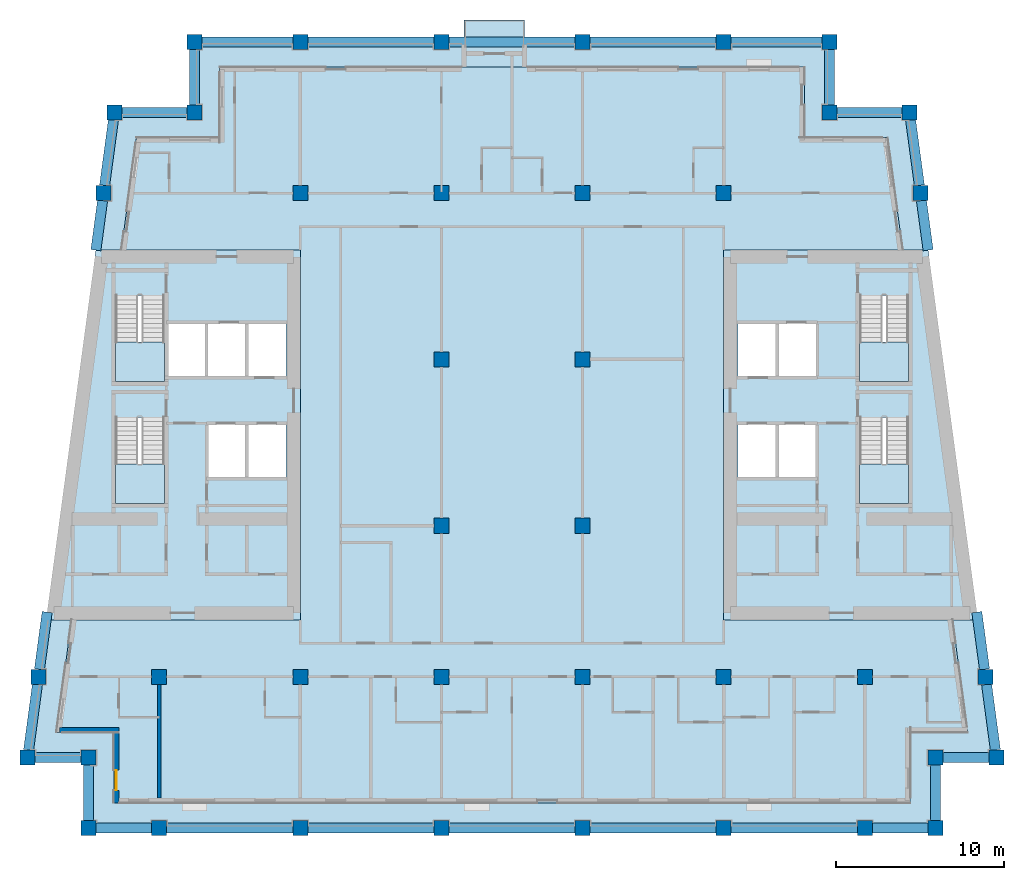
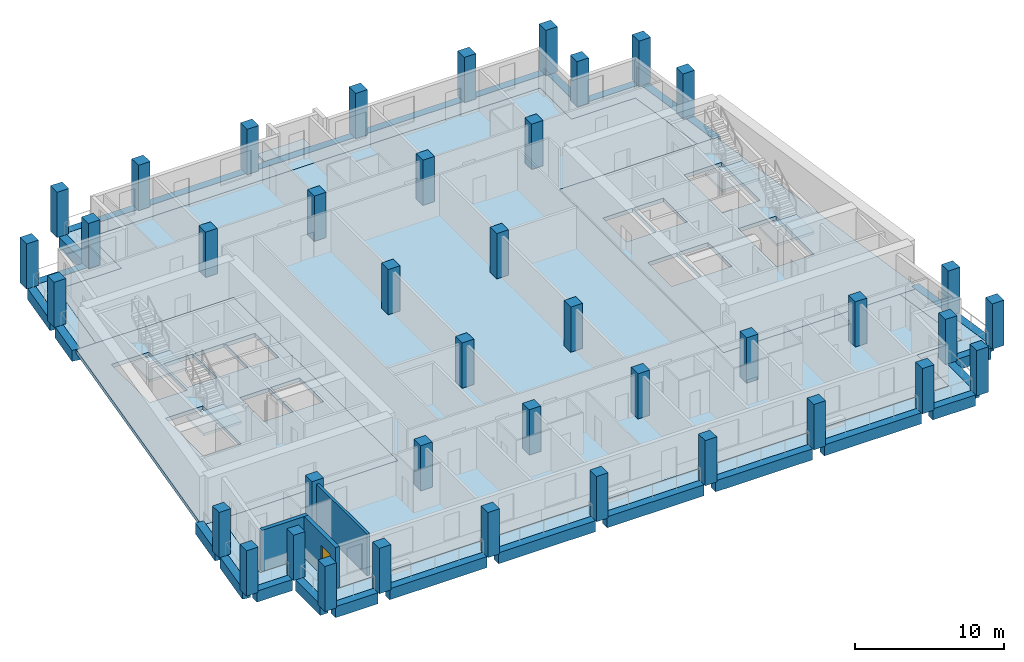
# One storey, part 1 of 12: 40 columns, 28 beams, 10 slabs, 3 walls, 1 door, 1 opening, 4 elements without a shape of their own.
"""IFC4 building model written with IfcOpenShell, lengths in metres."""

from ifc_helpers import new_model, si_unit, direction, frame, frame_2d, origin, origin_2d, place, context, subcontext, project, spatial, polyline, rectangle, outline, extrude, material, layer, layer_set, material_profile, profile_set, type_object, element, fill, aggregate, save


model = new_model("IFC4")

# Units and contexts
model_context = context("Model", 3, precision=1e-05, world=origin(), true_north=direction((0.0, 1.0)))
body_context = subcontext(model_context, "Body", "Model", "MODEL_VIEW")
ifc_project = project(units=[si_unit("LENGTHUNIT", "METRE"), si_unit("AREAUNIT", "SQUARE_METRE"), si_unit("VOLUMEUNIT", "CUBIC_METRE"), si_unit("PLANEANGLEUNIT", "RADIAN"), si_unit("MASSUNIT", "GRAM", prefix="KILO")], contexts=[model_context])

# Site, building, storey
site_placement = place(None, origin())
site = spatial("IfcSite", under=ifc_project, at=site_placement, CompositionType="ELEMENT")
building_placement = place(site_placement, origin())
building = spatial("IfcBuilding", under=site, at=building_placement, Name="Candeia Pilgrim Tower and Theatre", CompositionType="ELEMENT")
storey_placement = place(building_placement, frame((0.0, 0.0, 224.39990234375)))
storey = spatial("IfcBuildingStorey", under=building, at=storey_placement, Name="L54", CompositionType="ELEMENT", Elevation=224.39990234375)

# Columns
ifc_material_1 = material(Name="Concrete C50/60", Category="concrete")
ifc_material_profile_1 = material_profile(ifc_material_1, rectangle(XDim=0.89990234375, YDim=0.89990234375, at=origin_2d()))
ifc_profile_set_1 = profile_set([ifc_material_profile_1], Name="Concrete C50/60")
column_type = type_object("IfcColumnType", Name="RC 900x900 C50/60", PredefinedType="COLUMN", material=ifc_profile_set_1)
for number, where, z_axis, x_axis, name in (
    (1, (92.39990234375, 98.0, 0.0), (0.0, 0.0, 1.0), (1.0, 0.0, 0.0), "Column A1"),
    (2, (100.800048828125, 98.0, 0.0), (0.0, 0.0, 1.0), (1.0, 0.0, 0.0), "Column A2"),
    (3, (109.199951171875, 98.0, 0.0), (0.0, 0.0, 1.0), (1.0, 0.0, 0.0), "Column A3"),
    (4, (117.60009765625, 98.0, 0.0), (0.0, 0.0, 1.0), (1.0, 0.0, 0.0), "Column A4"),
    (5, (126.0, 98.0, 0.0), (0.0, 0.0, 1.0), (1.0, 0.0, 0.0), "Column A5"),
    (6, (134.39990234375, 98.0, 0.0), (0.0, 0.0, 1.0), (1.0, 0.0, 0.0), "Column A6"),
    (7, (88.199951171875, 98.0, 0.0), (0.0, 0.0, 1.0), (1.0, 0.0, 0.0), "Column AW"),
    (8, (138.60009765625, 98.0, 0.0), (0.0, 0.0, 1.0), (1.0, 0.0, 0.0), "Column AE"),
    (9, (88.199951171875, 102.199951171875, 0.0), (0.0, 0.0, 1.0), (1.0, 0.0, 0.0), "Column NSW"),
    (10, (138.60009765625, 102.199951171875, 0.0), (0.0, 0.0, 1.0), (1.0, 0.0, 0.0), "Column NSE"),
    (11, (94.5, 140.60009765625, 0.0), (0.0, 0.0, 1.0), (1.0, 0.0, 0.0), "Column NNW"),
    (12, (132.300048828125, 140.60009765625, 0.0), (0.0, 0.0, 1.0), (1.0, 0.0, 0.0), "Column NNE"),
    (13, (84.5654296875, 102.199951171875, 0.0), (0.0, 0.0, 1.0), (1.0, 0.0, 0.0), "Column LSW"),
    (14, (142.234619140625, 102.199951171875, 0.0), (0.0, 0.0, 1.0), (1.0, 0.0, 0.0), "Column LSE"),
    (15, (89.734619140625, 140.60009765625, 0.0), (0.0, 0.0, 1.0), (1.0, 0.0, 0.0), "Column LNW"),
    (16, (137.0654296875, 140.60009765625, 0.0), (0.0, 0.0, 1.0), (1.0, 0.0, 0.0), "Column LNE"),
    (17, (92.39990234375, 107.0, 0.0), (0.0, 0.0, 1.0), (1.0, 0.0, 0.0), "Column B1"),
    (18, (100.800048828125, 107.0, 0.0), (0.0, 0.0, 1.0), (1.0, 0.0, 0.0), "Column B2"),
    (19, (109.199951171875, 107.0, 0.0), (0.0, 0.0, 1.0), (1.0, 0.0, 0.0), "Column B3"),
    (20, (117.60009765625, 107.0, 0.0), (0.0, 0.0, 1.0), (1.0, 0.0, 0.0), "Column B4"),
    (21, (126.0, 107.0, 0.0), (0.0, 0.0, 1.0), (1.0, 0.0, 0.0), "Column B5"),
    (22, (134.39990234375, 107.0, 0.0), (0.0, 0.0, 1.0), (1.0, 0.0, 0.0), "Column B6"),
    (23, (85.21142578125, 107.0, 0.0), (0.0, 0.0, 1.0), (1.0, 0.0, 0.0), "Column BW"),
    (24, (141.58837890625, 107.0, 0.0), (0.0, 0.0, 1.0), (1.0, 0.0, 0.0), "Column BE"),
    (25, (109.199951171875, 116.0, 0.0), (0.0, 0.0, 1.0), (1.0, 0.0, 0.0), "Column C3"),
    (26, (117.60009765625, 116.0, 0.0), (0.0, 0.0, 1.0), (1.0, 0.0, 0.0), "Column C4"),
    (27, (109.199951171875, 125.89990234375, 0.0), (0.0, 0.0, 1.0), (1.0, 0.0, 0.0), "Column D3"),
    (28, (117.60009765625, 125.89990234375, 0.0), (0.0, 0.0, 1.0), (1.0, 0.0, 0.0), "Column D4"),
    (29, (100.800048828125, 135.800048828125, 0.0), (0.0, 0.0, 1.0), (1.0, 0.0, 0.0), "Column E2"),
    (30, (109.199951171875, 135.800048828125, 0.0), (0.0, 0.0, 1.0), (1.0, 0.0, 0.0), "Column E3"),
    (31, (117.60009765625, 135.800048828125, 0.0), (0.0, 0.0, 1.0), (1.0, 0.0, 0.0), "Column E4"),
    (32, (126.0, 135.800048828125, 0.0), (0.0, 0.0, 1.0), (1.0, 0.0, 0.0), "Column E5"),
    (33, (89.08837890625, 135.800048828125, 0.0), (0.0, 0.0, 1.0), (1.0, 0.0, 0.0), "Column EW"),
    (34, (137.71142578125, 135.800048828125, 0.0), (0.0, 0.0, 1.0), (1.0, 0.0, 0.0), "Column EE"),
    (35, (100.800048828125, 144.800048828125, 0.0), (0.0, 0.0, 1.0), (1.0, 0.0, 0.0), "Column F2"),
    (36, (109.199951171875, 144.800048828125, 0.0), (0.0, 0.0, 1.0), (1.0, 0.0, 0.0), "Column F3"),
    (37, (117.60009765625, 144.800048828125, 0.0), (0.0, 0.0, 1.0), (1.0, 0.0, 0.0), "Column F4"),
    (38, (126.0, 144.800048828125, 0.0), (0.0, 0.0, 1.0), (1.0, 0.0, 0.0), "Column F5"),
    (39, (94.5, 144.800048828125, 0.0), (0.0, 0.0, 1.0), (1.0, 0.0, 0.0), "Column FW"),
    (40, (132.300048828125, 144.800048828125, 0.0), (0.0, 0.0, 1.0), (1.0, 0.0, 0.0), "Column FE"),
):
    element("IfcColumn", number, at=place(storey_placement, frame(where, z_axis=z_axis, x_axis=x_axis)), inside=storey, type_object=column_type, Name=name, PredefinedType="COLUMN", context=body_context, shape_type="SweptSolid", body=[
        extrude(rectangle(XDim=0.89990234375, YDim=0.89990234375, at=origin_2d()), origin(), (0.0, 0.0, 1.0), 3.7001953125),
    ])

# Beams
ifc_material_profile_2 = material_profile(ifc_material_1, rectangle(XDim=0.60009765625, YDim=0.89990234375, at=origin_2d()))
ifc_profile_set_2 = profile_set([ifc_material_profile_2], Name="Concrete C50/60")
beam_type = type_object("IfcBeamType", Name="RC 600x900 C50/60", PredefinedType="BEAM", material=ifc_profile_set_2)
beam_1_placement = place(storey_placement, frame((88.64990234375, 98.0, -0.449951171875), z_axis=(1.0, 0.0, 0.0), x_axis=(0.0, 1.0, 0.0)))
element("IfcBeam", 41, at=beam_1_placement, inside=storey, type_object=beam_type, Name="Spandrel beam L54-01", PredefinedType="BEAM", context=body_context, shape_type="SweptSolid", body=[
    extrude(rectangle(XDim=0.60009765625, YDim=0.89990234375, at=origin_2d()), origin(), (0.0, 0.0, 1.0), 3.300048828125),
])
for number, where, z_axis, x_axis, name in (
    (42, (92.85009765625, 98.0, -0.449951171875), (1.0, 0.0, 0.0), (0.0, 1.0, 0.0), "Spandrel beam L54-02"),
    (43, (101.25, 98.0, -0.449951171875), (1.0, 0.0, 0.0), (0.0, 1.0, 0.0), "Spandrel beam L54-03"),
    (44, (109.64990234375, 98.0, -0.449951171875), (1.0, 0.0, 0.0), (0.0, 1.0, 0.0), "Spandrel beam L54-04"),
    (45, (118.050048828125, 98.0, -0.449951171875), (1.0, 0.0, 0.0), (0.0, 1.0, 0.0), "Spandrel beam L54-05"),
    (46, (126.449951171875, 98.0, -0.449951171875), (1.0, 0.0, 0.0), (0.0, 1.0, 0.0), "Spandrel beam L54-06"),
):
    element("IfcBeam", number, at=place(storey_placement, frame(where, z_axis=z_axis, x_axis=x_axis)), inside=storey, type_object=beam_type, Name=name, PredefinedType="BEAM", context=body_context, shape_type="SweptSolid", body=[
        extrude(rectangle(XDim=0.60009765625, YDim=0.89990234375, at=origin_2d()), origin(), (0.0, 0.0, 1.0), 7.5),
    ])
beam_2_placement = place(storey_placement, frame((134.85009765625, 98.0, -0.449951171875), z_axis=(1.0, 0.0, 0.0), x_axis=(0.0, 1.0, 0.0)))
element("IfcBeam", 47, at=beam_2_placement, inside=storey, type_object=beam_type, Name="Spandrel beam L54-07", PredefinedType="BEAM", context=body_context, shape_type="SweptSolid", body=[
    extrude(rectangle(XDim=0.60009765625, YDim=0.89990234375, at=origin_2d()), origin(), (0.0, 0.0, 1.0), 3.2998046875),
])
beam_3_placement = place(storey_placement, frame((138.60009765625, 98.449951171875, -0.449951171875), z_axis=(0.0, 1.0, 0.0), x_axis=(-1.0, 0.0, 0.0)))
element("IfcBeam", 48, at=beam_3_placement, inside=storey, type_object=beam_type, Name="Spandrel beam L54-08", PredefinedType="BEAM", context=body_context, shape_type="SweptSolid", body=[
    extrude(rectangle(XDim=0.60009765625, YDim=0.89990234375, at=origin_2d()), origin(), (0.0, 0.0, 1.0), 3.300048828125),
])
beam_4_placement = place(storey_placement, frame((139.050048828125, 102.199951171875, -0.449951171875), z_axis=(1.0, 0.0, 0.0), x_axis=(0.0, 1.0, 0.0)))
element("IfcBeam", 49, at=beam_4_placement, inside=storey, type_object=beam_type, Name="Spandrel beam L54-09", PredefinedType="BEAM", context=body_context, shape_type="SweptSolid", body=[
    extrude(rectangle(XDim=0.60009765625, YDim=0.89990234375, at=origin_2d()), origin(), (0.0, 0.0, 1.0), 2.734619140625),
])
beam_5_placement = place(storey_placement, frame((142.174072265625, 102.64990234375, -0.449951171875), z_axis=(-0.133443650757, 0.991056402064, 0.0), x_axis=(-0.991056402064, -0.133443650757, 0.0)))
element("IfcBeam", 50, at=beam_5_placement, inside=storey, type_object=beam_type, Name="Spandrel beam L54-10", PredefinedType="BEAM", context=body_context, shape_type="SweptSolid", body=[
    extrude(rectangle(XDim=0.60009765625, YDim=0.89990234375, at=origin_2d()), origin(), (0.0, 0.0, 1.0), 3.935302734375),
])
beam_6_placement = place(storey_placement, frame((141.52783203125, 107.449951171875, -0.449951171875), z_axis=(-0.133374411439, 0.99106572253, 0.0), x_axis=(-0.99106572253, -0.133374411439, 0.0)))
element("IfcBeam", 51, at=beam_6_placement, inside=storey, type_object=beam_type, Name="Spandrel beam L54-11", PredefinedType="BEAM", context=body_context, shape_type="SweptSolid", body=[
    extrude(rectangle(XDim=0.60009765625, YDim=0.89990234375, at=origin_2d()), origin(), (0.0, 0.0, 1.0), 3.43408203125),
])
beam_7_placement = place(storey_placement, frame((138.169189453125, 132.39990234375, -0.449951171875), z_axis=(-0.133356242983, 0.991068167412, 0.0), x_axis=(-0.991068167412, -0.133356242983, 0.0)))
element("IfcBeam", 52, at=beam_7_placement, inside=storey, type_object=beam_type, Name="Spandrel beam L54-12", PredefinedType="BEAM", context=body_context, shape_type="SweptSolid", body=[
    extrude(rectangle(XDim=0.60009765625, YDim=0.89990234375, at=origin_2d()), origin(), (0.0, 0.0, 1.0), 2.976806640625),
])
beam_8_placement = place(storey_placement, frame((137.65087890625, 136.25, -0.449951171875), z_axis=(-0.133390918184, 0.991063500965, 0.0), x_axis=(-0.991063500965, -0.133390918184, 0.0)))
element("IfcBeam", 53, at=beam_8_placement, inside=storey, type_object=beam_type, Name="Spandrel beam L54-13", PredefinedType="BEAM", context=body_context, shape_type="SweptSolid", body=[
    extrude(rectangle(XDim=0.60009765625, YDim=0.89990234375, at=origin_2d()), origin(), (0.0, 0.0, 1.0), 3.93505859375),
])
beam_9_placement = place(storey_placement, frame((136.615478515625, 140.60009765625, -0.449951171875), z_axis=(-1.0, 0.0, 0.0), x_axis=(0.0, -1.0, 0.0)))
element("IfcBeam", 54, at=beam_9_placement, inside=storey, type_object=beam_type, Name="Spandrel beam L54-14", PredefinedType="BEAM", context=body_context, shape_type="SweptSolid", body=[
    extrude(rectangle(XDim=0.60009765625, YDim=0.89990234375, at=origin_2d()), origin(), (0.0, 0.0, 1.0), 3.865478515625),
])
beam_10_placement = place(storey_placement, frame((132.300048828125, 141.050048828125, -0.449951171875), z_axis=(0.0, 1.0, 0.0), x_axis=(-1.0, 0.0, 0.0)))
element("IfcBeam", 55, at=beam_10_placement, inside=storey, type_object=beam_type, Name="Spandrel beam L54-15", PredefinedType="BEAM", context=body_context, shape_type="SweptSolid", body=[
    extrude(rectangle(XDim=0.60009765625, YDim=0.89990234375, at=origin_2d()), origin(), (0.0, 0.0, 1.0), 3.300048828125),
])
beam_11_placement = place(storey_placement, frame((131.85009765625, 144.800048828125, -0.449951171875), z_axis=(-1.0, 0.0, 0.0), x_axis=(0.0, -1.0, 0.0)))
element("IfcBeam", 56, at=beam_11_placement, inside=storey, type_object=beam_type, Name="Spandrel beam L54-16", PredefinedType="BEAM", context=body_context, shape_type="SweptSolid", body=[
    extrude(rectangle(XDim=0.60009765625, YDim=0.89990234375, at=origin_2d()), origin(), (0.0, 0.0, 1.0), 5.400146484375),
])
for number, where, z_axis, x_axis, name in (
    (57, (125.550048828125, 144.800048828125, -0.449951171875), (-1.0, 0.0, 0.0), (0.0, -1.0, 0.0), "Spandrel beam L54-17"),
    (58, (117.14990234375, 144.800048828125, -0.449951171875), (-1.0, 0.0, 0.0), (0.0, -1.0, 0.0), "Spandrel beam L54-18"),
    (59, (108.75, 144.800048828125, -0.449951171875), (-1.0, 0.0, 0.0), (0.0, -1.0, 0.0), "Spandrel beam L54-19"),
):
    element("IfcBeam", number, at=place(storey_placement, frame(where, z_axis=z_axis, x_axis=x_axis)), inside=storey, type_object=beam_type, Name=name, PredefinedType="BEAM", context=body_context, shape_type="SweptSolid", body=[
        extrude(rectangle(XDim=0.60009765625, YDim=0.89990234375, at=origin_2d()), origin(), (0.0, 0.0, 1.0), 7.5),
    ])
beam_12_placement = place(storey_placement, frame((100.35009765625, 144.800048828125, -0.449951171875), z_axis=(-1.0, 0.0, 0.0), x_axis=(0.0, -1.0, 0.0)))
element("IfcBeam", 60, at=beam_12_placement, inside=storey, type_object=beam_type, Name="Spandrel beam L54-20", PredefinedType="BEAM", context=body_context, shape_type="SweptSolid", body=[
    extrude(rectangle(XDim=0.60009765625, YDim=0.89990234375, at=origin_2d()), origin(), (0.0, 0.0, 1.0), 5.400146484375),
])
beam_13_placement = place(storey_placement, frame((94.5, 144.35009765625, -0.449951171875), z_axis=(0.0, -1.0, 0.0), x_axis=(1.0, 0.0, 0.0)))
element("IfcBeam", 61, at=beam_13_placement, inside=storey, type_object=beam_type, Name="Spandrel beam L54-21", PredefinedType="BEAM", context=body_context, shape_type="SweptSolid", body=[
    extrude(rectangle(XDim=0.60009765625, YDim=0.89990234375, at=origin_2d()), origin(), (0.0, 0.0, 1.0), 3.300048828125),
])
beam_14_placement = place(storey_placement, frame((94.050048828125, 140.60009765625, -0.449951171875), z_axis=(-1.0, 0.0, 0.0), x_axis=(0.0, -1.0, 0.0)))
element("IfcBeam", 62, at=beam_14_placement, inside=storey, type_object=beam_type, Name="Spandrel beam L54-22", PredefinedType="BEAM", context=body_context, shape_type="SweptSolid", body=[
    extrude(rectangle(XDim=0.60009765625, YDim=0.89990234375, at=origin_2d()), origin(), (0.0, 0.0, 1.0), 3.865478515625),
])
beam_15_placement = place(storey_placement, frame((89.674072265625, 140.14990234375, -0.449951171875), z_axis=(-0.133451855788, -0.99105529724, 0.0), x_axis=(0.99105529724, -0.133451855788, 0.0)))
element("IfcBeam", 63, at=beam_15_placement, inside=storey, type_object=beam_type, Name="Spandrel beam L54-23", PredefinedType="BEAM", context=body_context, shape_type="SweptSolid", body=[
    extrude(rectangle(XDim=0.60009765625, YDim=0.89990234375, at=origin_2d()), origin(), (0.0, 0.0, 1.0), 3.93505859375),
])
beam_16_placement = place(storey_placement, frame((89.02783203125, 135.35009765625, -0.449951171875), z_axis=(-0.133356242983, -0.991068167412, 0.0), x_axis=(0.991068167412, -0.133356242983, 0.0)))
element("IfcBeam", 64, at=beam_16_placement, inside=storey, type_object=beam_type, Name="Spandrel beam L54-24", PredefinedType="BEAM", context=body_context, shape_type="SweptSolid", body=[
    extrude(rectangle(XDim=0.60009765625, YDim=0.89990234375, at=origin_2d()), origin(), (0.0, 0.0, 1.0), 2.976806640625),
])
beam_17_placement = place(storey_placement, frame((85.730224609375, 110.853271484375, -0.449951171875), z_axis=(-0.133374411439, -0.99106572253, 0.0), x_axis=(0.99106572253, -0.133374411439, 0.0)))
element("IfcBeam", 65, at=beam_17_placement, inside=storey, type_object=beam_type, Name="Spandrel beam L54-25", PredefinedType="BEAM", context=body_context, shape_type="SweptSolid", body=[
    extrude(rectangle(XDim=0.60009765625, YDim=0.89990234375, at=origin_2d()), origin(), (0.0, 0.0, 1.0), 3.43408203125),
])
beam_18_placement = place(storey_placement, frame((85.15087890625, 106.550048828125, -0.449951171875), z_axis=(-0.133382716764, -0.991064604791, 0.0), x_axis=(0.991064604791, -0.133382716764, 0.0)))
element("IfcBeam", 66, at=beam_18_placement, inside=storey, type_object=beam_type, Name="Spandrel beam L54-26", PredefinedType="BEAM", context=body_context, shape_type="SweptSolid", body=[
    extrude(rectangle(XDim=0.60009765625, YDim=0.89990234375, at=origin_2d()), origin(), (0.0, 0.0, 1.0), 3.935302734375),
])
beam_19_placement = place(storey_placement, frame((85.015380859375, 102.199951171875, -0.449951171875), z_axis=(1.0, 0.0, 0.0), x_axis=(0.0, 1.0, 0.0)))
element("IfcBeam", 67, at=beam_19_placement, inside=storey, type_object=beam_type, Name="Spandrel beam L54-27", PredefinedType="BEAM", context=body_context, shape_type="SweptSolid", body=[
    extrude(rectangle(XDim=0.60009765625, YDim=0.89990234375, at=origin_2d()), origin(), (0.0, 0.0, 1.0), 2.734619140625),
])
beam_20_placement = place(storey_placement, frame((88.199951171875, 101.75, -0.449951171875), z_axis=(0.0, -1.0, 0.0), x_axis=(1.0, 0.0, 0.0)))
element("IfcBeam", 68, at=beam_20_placement, inside=storey, type_object=beam_type, Name="Spandrel beam L54-28", PredefinedType="BEAM", context=body_context, shape_type="SweptSolid", body=[
    extrude(rectangle(XDim=0.60009765625, YDim=0.89990234375, at=origin_2d()), origin(), (0.0, 0.0, 1.0), 3.300048828125),
])

# Slabs
ifc_material_2 = material(Name="Concrete C40/50", Category="concrete")
ifc_layer_1 = layer(ifc_material_2, 0.25)
ifc_layer_set_1 = layer_set([ifc_layer_1], Name="BK1 balcony slab 250")
slab_type_1 = type_object("IfcSlabType", Name="BK1 balcony slab 250", PredefinedType="USERDEFINED", material=ifc_layer_set_1)
slab_1_placement = place(storey_placement, frame((0.0, 0.0, -0.25)))
element("IfcSlab", 69, at=slab_1_placement, inside=storey, type_object=slab_type_1, Name="Balcony L54", ObjectType="BALCONY", PredefinedType="USERDEFINED", context=body_context, shape_type="SweptSolid", body=[
    extrude(outline(polyline([(110.550048828125, 144.5), (114.14990234375, 144.5), (114.14990234375, 146.10009765625), (110.550048828125, 146.10009765625), (110.550048828125, 144.5)])), origin(), (0.0, 0.0, 1.0), 0.25),
])
ifc_material_3 = material(Name="Concrete C60/75", Category="concrete")
ifc_layer_2 = layer(ifc_material_3, 0.320068359375)
ifc_layer_set_2 = layer_set([ifc_layer_2], Name="FS-CORE 320 core floor")
slab_type_2 = type_object("IfcSlabType", Name="FS-CORE 320 core floor", PredefinedType="FLOOR", material=ifc_layer_set_2)
slab_2_placement = place(storey_placement, frame((0.0, 0.0, -0.31982421875)))
element("IfcSlab", 70, at=slab_2_placement, inside=storey, type_object=slab_type_2, Name="Core floor W L54", PredefinedType="FLOOR", context=body_context, shape_type="SweptSolid", body=[
    extrude(outline(polyline([(100.800048828125, 132.39990234375), (100.800048828125, 110.39990234375), (85.669189453125, 110.39990234375), (88.630859375, 132.39990234375), (100.800048828125, 132.39990234375)]), holes=[polyline([(97.658935546875, 128.050048828125), (97.658935546875, 124.85009765625), (99.949951171875, 124.85009765625), (99.949951171875, 128.050048828125), (97.658935546875, 128.050048828125)]), polyline([(97.66357421875, 122.050048828125), (97.66357421875, 118.85009765625), (99.949951171875, 118.85009765625), (99.949951171875, 122.050048828125), (97.66357421875, 122.050048828125)]), polyline([(95.277099609375, 122.050048828125), (95.277099609375, 118.85009765625), (97.5634765625, 118.85009765625), (97.5634765625, 122.050048828125), (95.277099609375, 122.050048828125)]), polyline([(95.26806640625, 128.050048828125), (95.26806640625, 124.85009765625), (97.55908203125, 124.85009765625), (97.55908203125, 128.050048828125), (95.26806640625, 128.050048828125)]), polyline([(92.876953125, 128.050048828125), (92.876953125, 124.85009765625), (95.16796875, 124.85009765625), (95.16796875, 128.050048828125), (92.876953125, 128.050048828125)]), polyline([(89.802001953125, 117.324951171875), (92.701904296875, 117.324951171875), (92.701904296875, 122.455078125), (89.802001953125, 122.455078125), (89.802001953125, 117.324951171875)]), polyline([(89.802001953125, 129.705078125), (89.802001953125, 124.574951171875), (92.701904296875, 124.574951171875), (92.701904296875, 129.705078125), (89.802001953125, 129.705078125)])]), origin(), (0.0, 0.0, 1.0), 0.31982421875),
])
slab_3_placement = place(storey_placement, frame((0.0, 0.0, -0.31982421875)))
element("IfcSlab", 71, at=slab_3_placement, inside=storey, type_object=slab_type_2, Name="Core floor E L54", PredefinedType="FLOOR", context=body_context, shape_type="SweptSolid", body=[
    extrude(outline(polyline([(138.169189453125, 132.39990234375), (141.130859375, 110.39990234375), (126.0, 110.39990234375), (126.0, 132.39990234375), (138.169189453125, 132.39990234375)]), holes=[polyline([(134.097900390625, 117.324951171875), (136.998046875, 117.324951171875), (136.998046875, 122.455078125), (134.097900390625, 122.455078125), (134.097900390625, 117.324951171875)]), polyline([(134.097900390625, 129.705078125), (134.097900390625, 124.574951171875), (136.998046875, 124.574951171875), (136.998046875, 129.705078125), (134.097900390625, 129.705078125)]), polyline([(131.531982421875, 128.050048828125), (129.240966796875, 128.050048828125), (129.240966796875, 124.85009765625), (131.531982421875, 124.85009765625), (131.531982421875, 128.050048828125)]), polyline([(131.52294921875, 122.050048828125), (129.236572265625, 122.050048828125), (129.236572265625, 118.85009765625), (131.52294921875, 118.85009765625), (131.52294921875, 122.050048828125)]), polyline([(126.85009765625, 128.050048828125), (126.85009765625, 124.85009765625), (129.14111328125, 124.85009765625), (129.14111328125, 128.050048828125), (126.85009765625, 128.050048828125)]), polyline([(129.136474609375, 122.050048828125), (126.85009765625, 122.050048828125), (126.85009765625, 118.85009765625), (129.136474609375, 118.85009765625), (129.136474609375, 122.050048828125)])]), origin(), (0.0, 0.0, 1.0), 0.31982421875),
])
ifc_layer_3 = layer(ifc_material_1, 0.320068359375)
ifc_layer_set_3 = layer_set([ifc_layer_3], Name="Floor slab 320 C50/60")
slab_type_3 = type_object("IfcSlabType", Name="Floor slab 320 C50/60", PredefinedType="FLOOR", material=ifc_layer_set_3)
slab_4_placement = place(storey_placement, frame((0.0, 0.0, -0.31982421875)))
element("IfcSlab", 72, at=slab_4_placement, inside=storey, type_object=slab_type_3, Name="Floor slab L54", PredefinedType="FLOOR", context=body_context, shape_type="SweptSolid", body=[
    extrude(outline(polyline([(96.0, 139.10009765625), (96.0, 143.300048828125), (130.800048828125, 143.300048828125), (130.800048828125, 139.10009765625), (135.753662109375, 139.10009765625), (136.65576171875, 132.39990234375), (126.0, 132.39990234375), (126.0, 110.39990234375), (139.6171875, 110.39990234375), (140.51904296875, 103.699951171875), (137.10009765625, 103.699951171875), (137.10009765625, 99.5), (89.699951171875, 99.5), (89.699951171875, 103.699951171875), (86.28076171875, 103.699951171875), (87.182861328125, 110.39990234375), (100.800048828125, 110.39990234375), (100.800048828125, 132.39990234375), (90.144287109375, 132.39990234375), (91.046142578125, 139.10009765625), (96.0, 139.10009765625)])), origin(), (0.0, 0.0, 1.0), 0.31982421875),
])
ifc_layer_4 = layer(ifc_material_2, 0.25)
ifc_layer_set_4 = layer_set([ifc_layer_4], Name="Loggia slab 250 C40/50")
slab_type_4 = type_object("IfcSlabType", Name="Loggia slab 250 C40/50", PredefinedType="FLOOR", material=ifc_layer_set_4)
slab_5_placement = place(storey_placement, frame((0.0, 0.0, -0.25)))
element("IfcSlab", 73, at=slab_5_placement, inside=storey, type_object=slab_type_4, Name="Loggia slab L54 1", PredefinedType="FLOOR", context=body_context, shape_type="SweptSolid", body=[
    extrude(outline(polyline([(87.182861328125, 110.39990234375), (86.28076171875, 103.699951171875), (89.699951171875, 103.699951171875), (89.699951171875, 99.5), (137.10009765625, 99.5), (137.10009765625, 103.699951171875), (140.51904296875, 103.699951171875), (139.6171875, 110.39990234375), (140.828125, 110.39990234375), (141.8916015625, 102.5), (138.300048828125, 102.5), (138.300048828125, 98.300048828125), (88.5, 98.300048828125), (88.5, 102.5), (84.908447265625, 102.5), (85.971923828125, 110.39990234375), (87.182861328125, 110.39990234375)])), origin(), (0.0, 0.0, 1.0), 0.25),
])
slab_6_placement = place(storey_placement, frame((0.0, 0.0, -0.25)))
element("IfcSlab", 74, at=slab_6_placement, inside=storey, type_object=slab_type_4, Name="Loggia slab L54 2", PredefinedType="FLOOR", context=body_context, shape_type="SweptSolid", body=[
    extrude(outline(polyline([(136.65576171875, 132.39990234375), (135.753662109375, 139.10009765625), (130.800048828125, 139.10009765625), (130.800048828125, 143.300048828125), (96.0, 143.300048828125), (96.0, 139.10009765625), (91.046142578125, 139.10009765625), (90.144287109375, 132.39990234375), (88.93359375, 132.39990234375), (89.996826171875, 140.300048828125), (94.800048828125, 140.300048828125), (94.800048828125, 144.5), (132.0, 144.5), (132.0, 140.300048828125), (136.802978515625, 140.300048828125), (137.866455078125, 132.39990234375), (136.65576171875, 132.39990234375)])), origin(), (0.0, 0.0, 1.0), 0.25),
])

# Stair, slab
stair_type = type_object("IfcStairType", Name="ST-TWR dog-leg escape stair", PredefinedType="HALF_TURN_STAIR", material=ifc_material_2)
stair_1_placement = place(storey_placement, origin())
stair_1 = element("IfcStair", 75, at=stair_1_placement, inside=storey, type_object=stair_type, Name="L54 Escape stair ST1", PredefinedType="HALF_TURN_STAIR")
ifc_layer_5 = layer(ifc_material_2, 0.199951171875)
ifc_layer_set_5 = layer_set([ifc_layer_5], Name="SL-LANDING stair landing")
slab_type_5 = type_object("IfcSlabType", Name="SL-LANDING stair landing", PredefinedType="LANDING", material=ifc_layer_set_5)
slab_7_placement = place(storey_placement, frame((0.0, 0.0, 1.650146484375)))
slab_7 = element("IfcSlab", 76, at=slab_7_placement, type_object=slab_type_5, Name="ST1 landing 1", PredefinedType="LANDING", context=body_context, shape_type="SweptSolid", body=[
    extrude(outline(polyline([(89.802001953125, 119.675048828125), (89.802001953125, 117.324951171875), (92.701904296875, 117.324951171875), (92.701904296875, 119.675048828125), (89.802001953125, 119.675048828125)])), origin(), (0.0, 0.0, 1.0), 0.199951171875),
])
aggregate(stair_1, [slab_7])

stair_2_placement = place(storey_placement, origin())
stair_2 = element("IfcStair", 77, at=stair_2_placement, inside=storey, type_object=stair_type, Name="L54 Escape stair ST2", PredefinedType="HALF_TURN_STAIR")
slab_8_placement = place(storey_placement, frame((0.0, 0.0, 1.650146484375)))
slab_8 = element("IfcSlab", 78, at=slab_8_placement, type_object=slab_type_5, Name="ST2 landing 1", PredefinedType="LANDING", context=body_context, shape_type="SweptSolid", body=[
    extrude(outline(polyline([(89.802001953125, 126.925048828125), (89.802001953125, 124.574951171875), (92.701904296875, 124.574951171875), (92.701904296875, 126.925048828125), (89.802001953125, 126.925048828125)])), origin(), (0.0, 0.0, 1.0), 0.199951171875),
])
aggregate(stair_2, [slab_8])

stair_3_placement = place(storey_placement, origin())
stair_3 = element("IfcStair", 79, at=stair_3_placement, inside=storey, type_object=stair_type, Name="L54 Escape stair ST3", PredefinedType="HALF_TURN_STAIR")
slab_9_placement = place(storey_placement, frame((0.0, 0.0, 1.650146484375)))
slab_9 = element("IfcSlab", 80, at=slab_9_placement, type_object=slab_type_5, Name="ST3 landing 1", PredefinedType="LANDING", context=body_context, shape_type="SweptSolid", body=[
    extrude(outline(polyline([(134.097900390625, 119.675048828125), (134.097900390625, 117.324951171875), (136.998046875, 117.324951171875), (136.998046875, 119.675048828125), (134.097900390625, 119.675048828125)])), origin(), (0.0, 0.0, 1.0), 0.199951171875),
])
aggregate(stair_3, [slab_9])

stair_4_placement = place(storey_placement, origin())
stair_4 = element("IfcStair", 81, at=stair_4_placement, inside=storey, type_object=stair_type, Name="L54 Escape stair ST4", PredefinedType="HALF_TURN_STAIR")
slab_10_placement = place(storey_placement, frame((0.0, 0.0, 1.650146484375)))
slab_10 = element("IfcSlab", 82, at=slab_10_placement, type_object=slab_type_5, Name="ST4 landing 1", PredefinedType="LANDING", context=body_context, shape_type="SweptSolid", body=[
    extrude(outline(polyline([(134.097900390625, 126.925048828125), (134.097900390625, 124.574951171875), (136.998046875, 124.574951171875), (136.998046875, 126.925048828125), (134.097900390625, 126.925048828125)])), origin(), (0.0, 0.0, 1.0), 0.199951171875),
])
aggregate(stair_4, [slab_10])

# Wall
ifc_material_4 = material(Name="Ceramic block masonry", Category="masonry")
ifc_layer_6 = layer(ifc_material_4, 0.300048828125)
ifc_layer_set_6 = layer_set([ifc_layer_6], Name="EW1 glazing-line wall 300")
wall_type_1 = type_object("IfcWallType", Name="EW1 glazing-line wall 300", PredefinedType="SOLIDWALL", material=ifc_layer_set_6)
wall_1_placement = place(storey_placement, frame((86.452392578125, 103.85009765625, 0.0), z_axis=(0.0, 0.0, 1.0), x_axis=(1.0, 0.0, 0.0)))
element("IfcWall", 83, at=wall_1_placement, inside=storey, type_object=wall_type_1, Name="External wall L54-10.0", PredefinedType="SOLIDWALL", context=body_context, shape_type="SweptSolid", body=[
    extrude(rectangle(XDim=3.547607421875, YDim=0.300048828125, at=frame_2d((1.77392578125, 0.0))), origin(), (0.0, 0.0, 1.0), 3.380126953125),
])

# Wall, opening, door
wall_2_placement = place(storey_placement, frame((89.85009765625, 103.85009765625, 0.0), z_axis=(0.0, 0.0, 1.0), x_axis=(0.0, -1.0, 0.0)))
wall_2 = element("IfcWall", 84, at=wall_2_placement, inside=storey, type_object=wall_type_1, Name="External wall L54-11.0", PredefinedType="SOLIDWALL", context=body_context, shape_type="SweptSolid", body=[
    extrude(rectangle(XDim=4.35009765625, YDim=0.300048828125, at=frame_2d((2.175048828125, 0.0))), origin(), (0.0, 0.0, 1.0), 3.380126953125),
])
opening_placement = place(wall_2_placement, frame((2.39990234375, 0.0, 0.0)))
opening = element("IfcOpeningElement", 85, at=opening_placement, cuts=wall_2, Name="Opening L54-ED524", PredefinedType="OPENING", context=body_context, shape_type="SweptSolid", body=[
    extrude(rectangle(XDim=1.199951171875, YDim=2.39990234375, at=frame_2d((0.60009765625, 1.199951171875))), frame((0.0, 0.16015625, 0.0), z_axis=(0.0, -1.0, 0.0), x_axis=(1.0, 0.0, 0.0)), (0.0, 0.0, 1.0), 0.320068359375),
])
ifc_material_5 = material(Name="Aluminium framed glazed door", Category="aluminium")
door_type = type_object("IfcDoorType", Name="Loggia door 1200x2400", OperationType="DOUBLE_DOOR_SINGLE_SWING", PredefinedType="DOOR", material=ifc_material_5)
door_placement = place(opening_placement, origin())
door = element("IfcDoor", 86, at=door_placement, inside=storey, type_object=door_type, Name="Loggia door L54-ED524", OperationType="DOUBLE_DOOR_SINGLE_SWING", OverallHeight=2.39990234375, OverallWidth=1.199951171875, PredefinedType="DOOR", context=body_context, shape_type="SweptSolid", body=[
    extrude(rectangle(XDim=1.199951171875, YDim=2.39990234375, at=frame_2d((0.60009765625, 1.199951171875))), frame((0.0, 0.02490234375, 0.0), z_axis=(0.0, -1.0, 0.0), x_axis=(1.0, 0.0, 0.0)), (0.0, 0.0, 1.0), 0.050048828125),
])
fill(opening, door)

# Wall
ifc_material_6 = material(Name="Gypsum board partition on steel studs", Category="steel")
ifc_layer_7 = layer(ifc_material_6, 0.199951171875)
ifc_layer_set_7 = layer_set([ifc_layer_7], Name="PW-200 party wall")
wall_type_2 = type_object("IfcWallType", Name="PW-200 party wall", PredefinedType="PARTITIONING", material=ifc_layer_set_7)
wall_3_placement = place(storey_placement, frame((92.39990234375, 99.7900390625, 0.0), z_axis=(0.0, 0.0, 1.0), x_axis=(0.0, 1.0, 0.0)))
element("IfcWall", 87, at=wall_3_placement, inside=storey, type_object=wall_type_2, Name="Party wall L54-055", PredefinedType="PARTITIONING", context=body_context, shape_type="SweptSolid", body=[
    extrude(rectangle(XDim=7.135009765625, YDim=0.199951171875, at=frame_2d((3.5673828125, 0.0))), origin(), (0.0, 0.0, 1.0), 3.380126953125),
])

save(model, "model.ifc")
